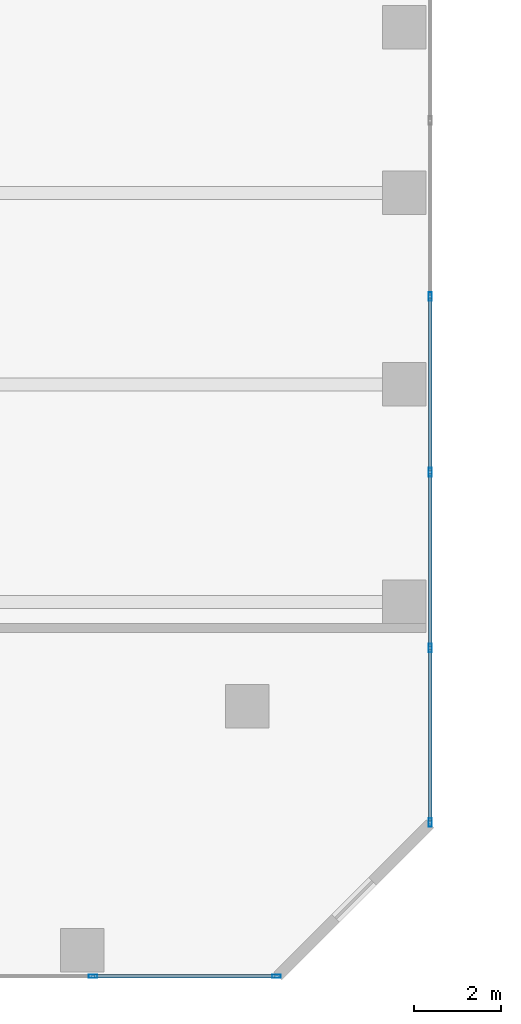
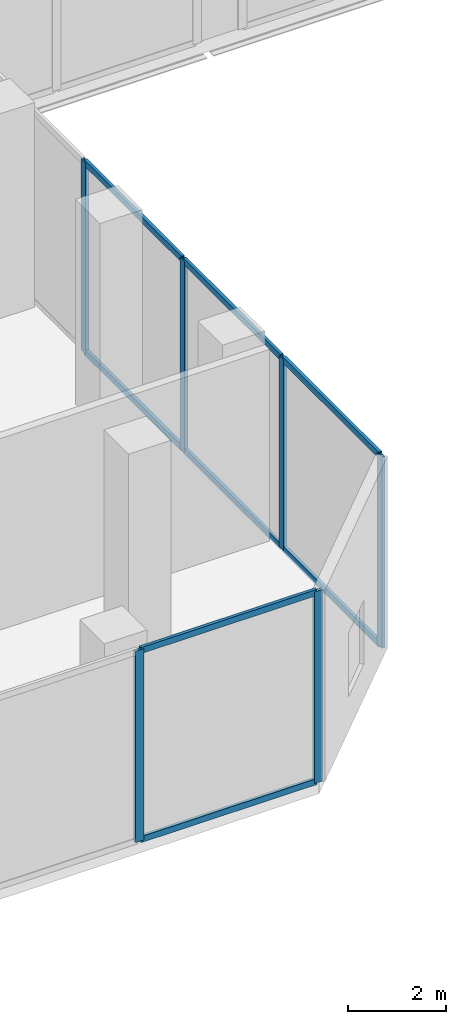
# One storey, part 5 of 24: 14 members, 2 elements without a shape of their own.
"""IFC4 building model written with IfcOpenShell, lengths in metres."""

from ifc_helpers import new_model, si_unit, direction, frame, origin, origin_2d, place, context, subcontext, project, spatial, hollow_rectangle, extrude, material, layer, layer_set, material_profile, profile_set, type_object, element, aggregate, save


model = new_model("IFC4")

# Units and contexts
model_context = context("Model", 3, precision=1e-05, world=origin(), true_north=direction((0.0, 1.0)))
body_context = subcontext(model_context, "Body", "Model", "MODEL_VIEW")
ifc_project = project(units=[si_unit("LENGTHUNIT", "METRE"), si_unit("AREAUNIT", "SQUARE_METRE"), si_unit("VOLUMEUNIT", "CUBIC_METRE"), si_unit("PLANEANGLEUNIT", "RADIAN"), si_unit("MASSUNIT", "GRAM", prefix="KILO")], contexts=[model_context])

# Site, building, storey
site_placement = place(None, origin())
site = spatial("IfcSite", under=ifc_project, at=site_placement, CompositionType="ELEMENT")
building_placement = place(site_placement, origin())
building = spatial("IfcBuilding", under=site, at=building_placement, Name="Catumbela Crestline Tower", CompositionType="ELEMENT")
storey_placement = place(building_placement, frame((0.0, 0.0, 6.0)))
storey = spatial("IfcBuildingStorey", under=building, at=storey_placement, Name="L01", CompositionType="ELEMENT", Elevation=6.0)

# Curtain wall, members
ifc_material = material(Name="Aluminium alloy AW-6060-T66", Category="aluminium")
ifc_layer = layer(ifc_material, 0.18, Name="Aluminium alloy AW-6060-T66")
ifc_layer_set = layer_set([ifc_layer], Name="Aluminium alloy AW-6060-T66")
curtain_wall_type = type_object("IfcCurtainWallType", Name="CWS-POD", PredefinedType="USERDEFINED", material=ifc_layer_set)
curtain_wall_1_placement = place(storey_placement, origin())
curtain_wall_1 = element("IfcCurtainWall", 1, at=curtain_wall_1_placement, inside=storey, type_object=curtain_wall_type, Name="L01 Stick Curtain Wall CW-L01-E0S1", ObjectType="STICK", PredefinedType="USERDEFINED")
ifc_material_profile_1 = material_profile(ifc_material, hollow_rectangle(XDim=0.075, YDim=0.2, WallThickness=0.005, at=origin_2d()), Name="ALU 200x75x5")
ifc_profile_set_1 = profile_set([ifc_material_profile_1], Name="Aluminium alloy AW-6060-T66")
member_type_1 = type_object("IfcMemberType", Name="MUL-200X75", PredefinedType="MULLION", material=ifc_profile_set_1)
member_1_placement = place(storey_placement, frame((16.25, 0.0, 0.0), z_axis=(0.0, 0.0, 1.0), x_axis=(0.0, 1.0, 0.0)))
member_1 = element("IfcMember", 2, at=member_1_placement, type_object=member_type_1, Name="CWS-POD mullion 4", PredefinedType="MULLION", context=body_context, shape_type="SweptSolid", body=[
    extrude(hollow_rectangle(XDim=0.075, YDim=0.2, WallThickness=0.005, at=origin_2d()), origin(), (0.0, 0.0, 1.0), 4.77),
])
member_2_placement = place(storey_placement, frame((20.4675, 0.0, 0.0), z_axis=(0.0, 0.0, 1.0), x_axis=(0.0, 1.0, 0.0)))
member_2 = element("IfcMember", 3, at=member_2_placement, type_object=member_type_1, Name="CWS-POD mullion 5", PredefinedType="MULLION", context=body_context, shape_type="SweptSolid", body=[
    extrude(hollow_rectangle(XDim=0.075, YDim=0.2, WallThickness=0.005, at=origin_2d()), origin(), (0.0, 0.0, 1.0), 4.77),
])

curtain_wall_2_placement = place(storey_placement, origin())
curtain_wall_2 = element("IfcCurtainWall", 4, at=curtain_wall_2_placement, inside=storey, type_object=curtain_wall_type, Name="L01 Stick Curtain Wall CW-L01-E2S1", ObjectType="STICK", PredefinedType="USERDEFINED")
member_3_placement = place(storey_placement, frame((24.0, 3.5325, 0.0), z_axis=(0.0, 0.0, 1.0), x_axis=(-1.0, 0.0, 0.0)))
member_3 = element("IfcMember", 5, at=member_3_placement, type_object=member_type_1, Name="CWS-POD mullion 1", PredefinedType="MULLION", context=body_context, shape_type="SweptSolid", body=[
    extrude(hollow_rectangle(XDim=0.075, YDim=0.2, WallThickness=0.005, at=origin_2d()), origin(), (0.0, 0.0, 1.0), 4.77),
])
member_4_placement = place(storey_placement, frame((24.0, 7.54, 0.0), z_axis=(0.0, 0.0, 1.0), x_axis=(-1.0, 0.0, 0.0)))
member_4 = element("IfcMember", 6, at=member_4_placement, type_object=member_type_1, Name="CWS-POD mullion 2", PredefinedType="MULLION", context=body_context, shape_type="SweptSolid", body=[
    extrude(hollow_rectangle(XDim=0.075, YDim=0.2, WallThickness=0.005, at=origin_2d()), origin(), (0.0, 0.0, 1.0), 4.77),
])
member_5_placement = place(storey_placement, frame((24.0, 11.58, 0.0), z_axis=(0.0, 0.0, 1.0), x_axis=(-1.0, 0.0, 0.0)))
member_5 = element("IfcMember", 7, at=member_5_placement, type_object=member_type_1, Name="CWS-POD mullion 3", PredefinedType="MULLION", context=body_context, shape_type="SweptSolid", body=[
    extrude(hollow_rectangle(XDim=0.075, YDim=0.2, WallThickness=0.005, at=origin_2d()), origin(), (0.0, 0.0, 1.0), 4.77),
])
member_6_placement = place(storey_placement, frame((24.0, 15.62, 0.0), z_axis=(0.0, 0.0, 1.0), x_axis=(-1.0, 0.0, 0.0)))
member_6 = element("IfcMember", 8, at=member_6_placement, type_object=member_type_1, Name="CWS-POD mullion 4", PredefinedType="MULLION", context=body_context, shape_type="SweptSolid", body=[
    extrude(hollow_rectangle(XDim=0.075, YDim=0.2, WallThickness=0.005, at=origin_2d()), origin(), (0.0, 0.0, 1.0), 4.77),
])

# Member
ifc_material_profile_2 = material_profile(ifc_material, hollow_rectangle(XDim=0.075, YDim=0.15, WallThickness=0.0045, at=origin_2d()), Name="ALU 150x75x4.5")
ifc_profile_set_2 = profile_set([ifc_material_profile_2], Name="Aluminium alloy AW-6060-T66")
member_type_2 = type_object("IfcMemberType", Name="TRN-150X75", PredefinedType="USERDEFINED", material=ifc_profile_set_2)
member_7_placement = place(storey_placement, frame((16.2825, 0.0, 0.03), z_axis=(1.0, 0.0, 0.0), x_axis=(0.0, 1.0, 0.0)))
member_7 = element("IfcMember", 9, at=member_7_placement, type_object=member_type_2, Name="CWS-POD transom 4.1", ObjectType="TRANSOM", PredefinedType="USERDEFINED", context=body_context, shape_type="SweptSolid", body=[
    extrude(hollow_rectangle(XDim=0.075, YDim=0.15, WallThickness=0.0045, at=origin_2d()), origin(), (0.0, 0.0, 1.0), 4.1525),
])

member_8_placement = place(storey_placement, frame((16.2825, 0.0, 4.74), z_axis=(1.0, 0.0, 0.0), x_axis=(0.0, 1.0, 0.0)))
member_8 = element("IfcMember", 10, at=member_8_placement, type_object=member_type_2, Name="CWS-POD transom 4.2", ObjectType="TRANSOM", PredefinedType="USERDEFINED", context=body_context, shape_type="SweptSolid", body=[
    extrude(hollow_rectangle(XDim=0.075, YDim=0.15, WallThickness=0.0045, at=origin_2d()), origin(), (0.0, 0.0, 1.0), 4.1525),
])

aggregate(curtain_wall_1, [member_1, member_2, member_7, member_8])

member_9_placement = place(storey_placement, frame((24.0, 3.565, 0.03), z_axis=(0.0, 1.0, 0.0), x_axis=(-1.0, 0.0, 0.0)))
member_9 = element("IfcMember", 11, at=member_9_placement, type_object=member_type_2, Name="CWS-POD transom 1.1", ObjectType="TRANSOM", PredefinedType="USERDEFINED", context=body_context, shape_type="SweptSolid", body=[
    extrude(hollow_rectangle(XDim=0.075, YDim=0.15, WallThickness=0.0045, at=origin_2d()), origin(), (0.0, 0.0, 1.0), 3.9425),
])

member_10_placement = place(storey_placement, frame((24.0, 3.565, 4.74), z_axis=(0.0, 1.0, 0.0), x_axis=(-1.0, 0.0, 0.0)))
member_10 = element("IfcMember", 12, at=member_10_placement, type_object=member_type_2, Name="CWS-POD transom 1.2", ObjectType="TRANSOM", PredefinedType="USERDEFINED", context=body_context, shape_type="SweptSolid", body=[
    extrude(hollow_rectangle(XDim=0.075, YDim=0.15, WallThickness=0.0045, at=origin_2d()), origin(), (0.0, 0.0, 1.0), 3.9425),
])

member_11_placement = place(storey_placement, frame((24.0, 7.5725, 0.03), z_axis=(0.0, 1.0, 0.0), x_axis=(-1.0, 0.0, 0.0)))
member_11 = element("IfcMember", 13, at=member_11_placement, type_object=member_type_2, Name="CWS-POD transom 2.1", ObjectType="TRANSOM", PredefinedType="USERDEFINED", context=body_context, shape_type="SweptSolid", body=[
    extrude(hollow_rectangle(XDim=0.075, YDim=0.15, WallThickness=0.0045, at=origin_2d()), origin(), (0.0, 0.0, 1.0), 3.975),
])

member_12_placement = place(storey_placement, frame((24.0, 7.5725, 4.74), z_axis=(0.0, 1.0, 0.0), x_axis=(-1.0, 0.0, 0.0)))
member_12 = element("IfcMember", 14, at=member_12_placement, type_object=member_type_2, Name="CWS-POD transom 2.2", ObjectType="TRANSOM", PredefinedType="USERDEFINED", context=body_context, shape_type="SweptSolid", body=[
    extrude(hollow_rectangle(XDim=0.075, YDim=0.15, WallThickness=0.0045, at=origin_2d()), origin(), (0.0, 0.0, 1.0), 3.975),
])

member_13_placement = place(storey_placement, frame((24.0, 11.6125, 0.03), z_axis=(0.0, 1.0, 0.0), x_axis=(-1.0, 0.0, 0.0)))
member_13 = element("IfcMember", 15, at=member_13_placement, type_object=member_type_2, Name="CWS-POD transom 3.1", ObjectType="TRANSOM", PredefinedType="USERDEFINED", context=body_context, shape_type="SweptSolid", body=[
    extrude(hollow_rectangle(XDim=0.075, YDim=0.15, WallThickness=0.0045, at=origin_2d()), origin(), (0.0, 0.0, 1.0), 3.975),
])

member_14_placement = place(storey_placement, frame((24.0, 11.6125, 4.74), z_axis=(0.0, 1.0, 0.0), x_axis=(-1.0, 0.0, 0.0)))
member_14 = element("IfcMember", 16, at=member_14_placement, type_object=member_type_2, Name="CWS-POD transom 3.2", ObjectType="TRANSOM", PredefinedType="USERDEFINED", context=body_context, shape_type="SweptSolid", body=[
    extrude(hollow_rectangle(XDim=0.075, YDim=0.15, WallThickness=0.0045, at=origin_2d()), origin(), (0.0, 0.0, 1.0), 3.975),
])

aggregate(curtain_wall_2, [member_3, member_4, member_5, member_6, member_9, member_10, member_11, member_12, member_13, member_14])

save(model, "model.ifc")
